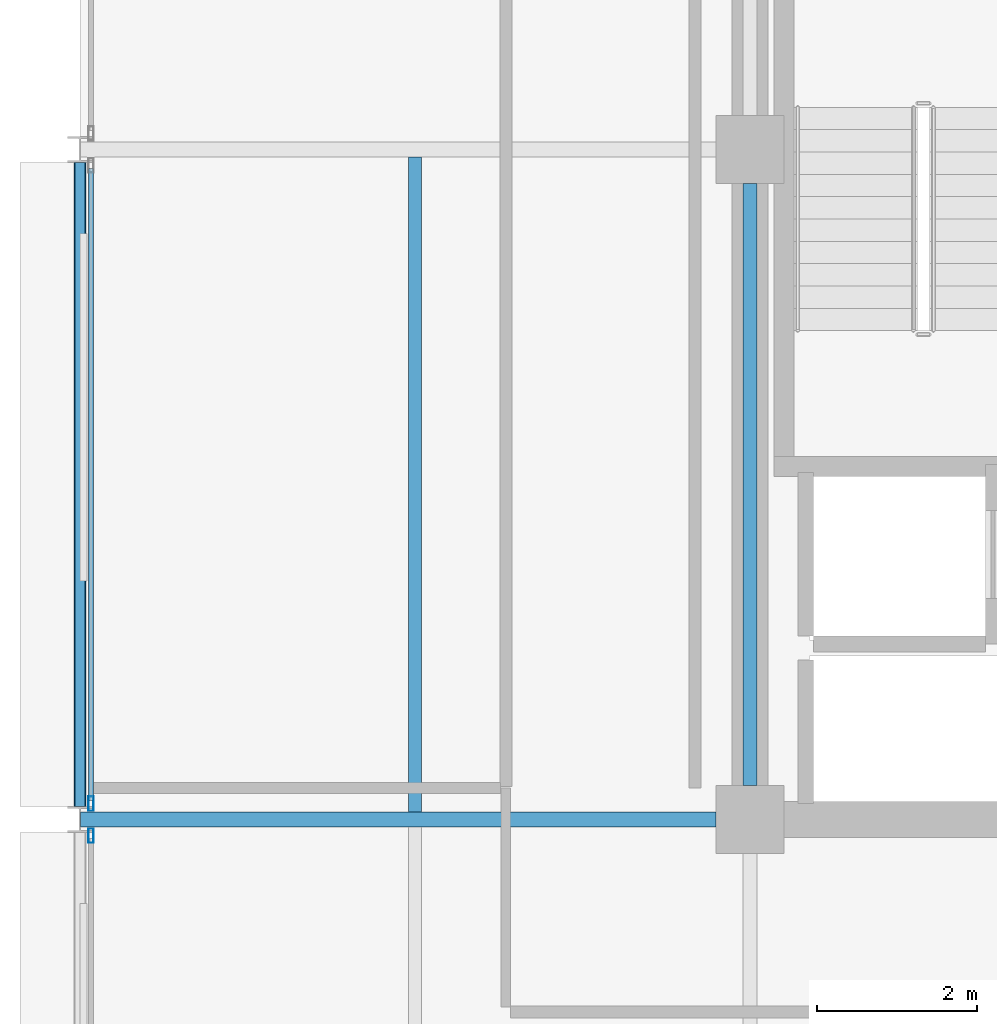
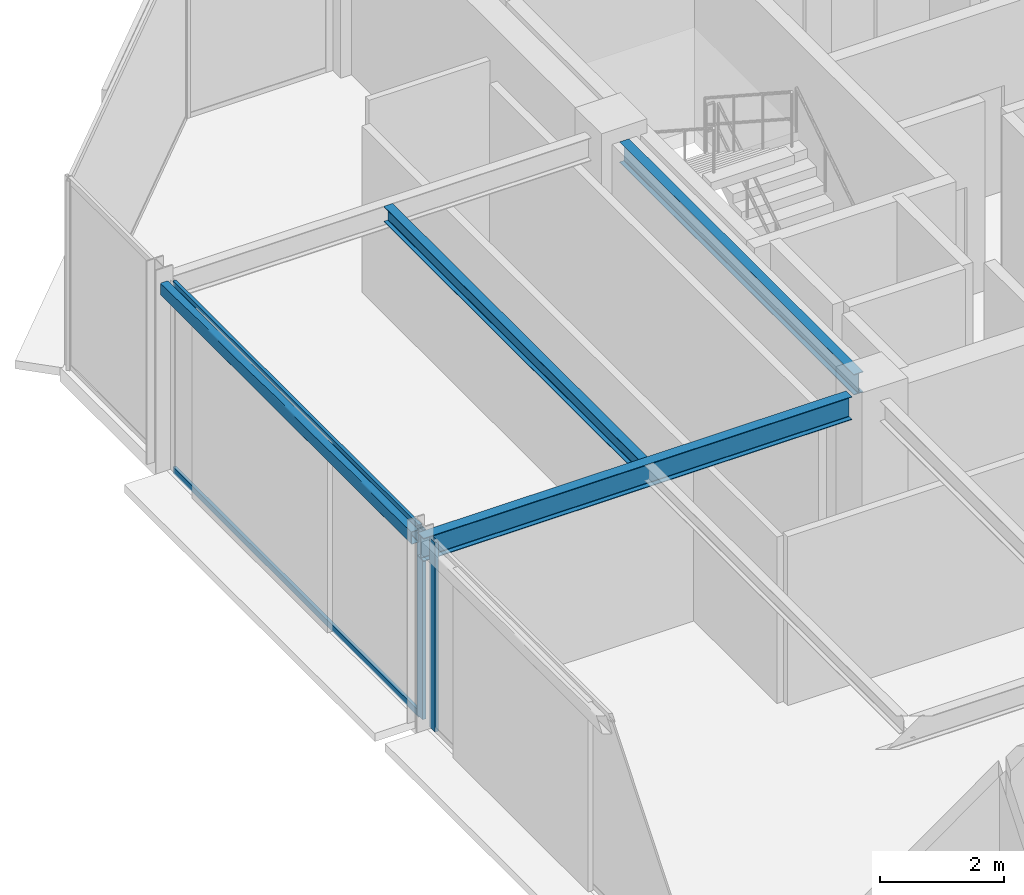
# One storey, part 11 of 27: 4 beams, 4 members, 2 elements without a shape of their own.
"""IFC4 building model written with IfcOpenShell, lengths in metres."""

import ifcopenshell
import ifcopenshell.guid

model = None  # the IFC model being written
_history = None  # IfcOwnerHistory: only IFC2X3 demands one
_inside = {}  # id of a spatial element -> (the spatial element, [elements in it])
_under = {}  # id of a project, library or spatial element -> (it, [spatial elements below it])
_declared = {}  # id of a project -> (the project, [libraries it declares])
_typed = {}  # id of a type object -> (the type object, [elements of that type])
_made_of = {}  # id of a material, layer set ... -> (it, [elements and type objects made of it])


def new_model(schema):
    """Start an empty IFC model of exactly this schema.

    Asked for "IFC4X3", IfcOpenShell would pick the latest addendum, in which some entities
    have other attributes; the version numbers below select the first issue.
    IFC2X3 requires an IfcOwnerHistory on every rooted entity: one is made here for all.
    """
    global model, _history
    if schema == "IFC4X3":
        model = ifcopenshell.file(schema_version=(4, 3, 0, 0))
    else:
        model = ifcopenshell.file(schema=schema)
    _inside.clear()
    _under.clear()
    _declared.clear()
    _typed.clear()
    _made_of.clear()
    _history = None
    if model.schema == "IFC2X3":
        org = make("IfcOrganization", Name="unknown")
        user = make(
            "IfcPersonAndOrganization",
            ThePerson=make("IfcPerson", FamilyName="unknown"),
            TheOrganization=org,
        )
        app = make(
            "IfcApplication",
            ApplicationDeveloper=org,
            Version="unknown",
            ApplicationFullName="unknown",
            ApplicationIdentifier="unknown",
        )
        _history = make(
            "IfcOwnerHistory",
            OwningUser=user,
            OwningApplication=app,
            ChangeAction="ADDED",
            CreationDate=0,
        )
    return model


def make(cls, **values):
    """One entity of the class cls with the attributes given. An attribute that is None is left unset."""
    return model.create_entity(
        cls, **{name: value for name, value in values.items() if value is not None}
    )


def rooted(cls, **values):
    """An entity with a GlobalId (a new one), such as an element, a storey or a relation."""
    return make(cls, GlobalId=ifcopenshell.guid.new(), OwnerHistory=_history, **values)


def si_unit(unit_type, name, prefix=None):
    """IfcSIUnit, for example si_unit("LENGTHUNIT", "METRE", prefix="MILLI")."""
    return make("IfcSIUnit", UnitType=unit_type, Prefix=prefix, Name=name)


def assignment(units):
    """IfcUnitAssignment: the units of a project."""
    return None if units is None else make("IfcUnitAssignment", Units=units)


def point(xyz):
    """IfcCartesianPoint."""
    return None if xyz is None else make("IfcCartesianPoint", Coordinates=xyz)


def direction(xyz):
    """IfcDirection."""
    return None if xyz is None else make("IfcDirection", DirectionRatios=xyz)


def frame(location, z_axis=None, x_axis=None):
    """IfcAxis2Placement3D, a coordinate frame: its origin and axes. An axis left out is left unset."""
    return make(
        "IfcAxis2Placement3D",
        Location=point(location),
        Axis=direction(z_axis),
        RefDirection=direction(x_axis),
    )


def frame_2d(location, x_axis=None):
    """IfcAxis2Placement2D, a coordinate frame in the plane: its origin and x axis."""
    return make(
        "IfcAxis2Placement2D", Location=point(location), RefDirection=direction(x_axis)
    )


def origin():
    """The frame at (0, 0, 0) with its axes left unset."""
    return frame((0.0, 0.0, 0.0))


def origin_2d():
    """The frame at (0, 0) in the plane with its x axis left unset."""
    return frame_2d((0.0, 0.0))


def place(relative_to, where):
    """IfcLocalPlacement: puts the frame where relative to a parent placement (None: the world)."""
    return make(
        "IfcLocalPlacement", PlacementRelTo=relative_to, RelativePlacement=where
    )


def context(
    kind, dimensions, precision=None, world=None, true_north=None, identifier=None
):
    """IfcGeometricRepresentationContext, for example the 3D "Model" context."""
    return make(
        "IfcGeometricRepresentationContext",
        ContextIdentifier=identifier,
        ContextType=kind,
        CoordinateSpaceDimension=dimensions,
        Precision=precision,
        WorldCoordinateSystem=world,
        TrueNorth=true_north,
    )


def subcontext(parent, identifier, kind, view, scale=None):
    """IfcGeometricRepresentationSubContext, for example "Body" below "Model"."""
    return make(
        "IfcGeometricRepresentationSubContext",
        ContextIdentifier=identifier,
        ContextType=kind,
        ParentContext=parent,
        TargetScale=scale,
        TargetView=view,
    )


def project(units=None, contexts=None):
    """IfcProject with its units and contexts."""
    return rooted(
        "IfcProject",
        Name="project",
        RepresentationContexts=contexts,
        UnitsInContext=assignment(units),
    )


def spatial(cls, under=None, at=None, **own):
    """A site, building, storey or space (cls), placed at a placement, below another one or the project."""
    s = rooted(cls, ObjectPlacement=at, **own)
    if under is not None:
        _under.setdefault(under.id(), (under, []))[1].append(s)
    return s


def profile(cls, at=None, kind="AREA", **sizes):
    """A parametric profile (cls). Its sizes go by their IFC names, for example OverallWidth=200.0."""
    return make(cls, ProfileType=kind, Position=at, **sizes)


def hollow_rectangle(**sizes):
    """IfcRectangleHollowProfileDef."""
    return profile("IfcRectangleHollowProfileDef", **sizes)


def i_section(**sizes):
    """IfcIShapeProfileDef."""
    return profile("IfcIShapeProfileDef", **sizes)


def extrude(swept, where, along, depth):
    """IfcExtrudedAreaSolid: the profile swept, set in the frame where, extruded along a direction by depth."""
    return make(
        "IfcExtrudedAreaSolid",
        SweptArea=swept,
        Position=where,
        ExtrudedDirection=direction(along),
        Depth=depth,
    )


def shape(context_of_items, identifier, shape_type, items):
    """IfcShapeRepresentation: the items that make up one representation, for example the "Body"."""
    return make(
        "IfcShapeRepresentation",
        ContextOfItems=context_of_items,
        RepresentationIdentifier=identifier,
        RepresentationType=shape_type,
        Items=items,
    )


def material(Name=None, Category=None):
    """IfcMaterial."""
    return make("IfcMaterial", Name=Name, Category=Category)


def layer(
    of_material, thickness, ventilated=None, Name=None, Category=None, Priority=None
):
    """IfcMaterialLayer: one layer of a wall or slab, of a material (None: an air gap)."""
    return make(
        "IfcMaterialLayer",
        Material=of_material,
        LayerThickness=thickness,
        IsVentilated=ventilated,
        Name=Name,
        Category=Category,
        Priority=Priority,
    )


def layer_set(layers, Name=None):
    """IfcMaterialLayerSet."""
    return make("IfcMaterialLayerSet", MaterialLayers=layers, LayerSetName=Name)


def material_profile(
    of_material, cross_section, Name=None, Category=None, Priority=None
):
    """IfcMaterialProfile: a cross section and its material."""
    return make(
        "IfcMaterialProfile",
        Name=Name,
        Material=of_material,
        Profile=cross_section,
        Priority=Priority,
        Category=Category,
    )


def profile_set(profiles, Name=None, composite=None):
    """IfcMaterialProfileSet."""
    return make(
        "IfcMaterialProfileSet",
        Name=Name,
        MaterialProfiles=profiles,
        CompositeProfile=composite,
    )


def made_of(thing, what):
    """Note that an element or type object is made of a material, layer set ...; save() writes the relation."""
    if what is not None:
        _made_of.setdefault(what.id(), (what, []))[1].append(thing)
    return thing


def type_object(cls, material=None, **own):
    """A type object (cls), such as IfcWallType, which elements share."""
    return made_of(rooted(cls, **own), material)


def element(
    cls,
    number,
    at=None,
    inside=None,
    cuts=None,
    type_object=None,
    material=None,
    context=None,
    identifier="Body",
    shape_type=None,
    held_by="IfcProductDefinitionShape",
    body=None,
    shapes=None,
    **own,
):
    """One element of the class cls, such as IfcWall. Its Tag is "e" and its number.

    at: its placement. inside: the storey or other place that contains it. cuts: it is an
    opening in that element (IfcRelVoidsElement). A single representation is given by context,
    identifier, shape_type and body (its items); several are given by shapes. held_by: the class
    of the entity that holds the representations. save() writes the other relations.
    """
    e = rooted(cls, Tag="e%d" % number, ObjectPlacement=at, **own)
    if body is not None:
        shapes = [shape(context, identifier, shape_type, body)]
    if shapes is not None:
        e.Representation = make(held_by, Representations=shapes)
    if inside is not None:
        _inside.setdefault(inside.id(), (inside, []))[1].append(e)
    if cuts is not None:
        rooted(
            "IfcRelVoidsElement", RelatingBuildingElement=cuts, RelatedOpeningElement=e
        )
    if type_object is not None:
        _typed.setdefault(type_object.id(), (type_object, []))[1].append(e)
    return made_of(e, material)


def aggregate(whole, parts):
    """IfcRelAggregates: a whole, such as a stair, and the parts it consists of."""
    return rooted("IfcRelAggregates", RelatingObject=whole, RelatedObjects=parts)


def save(model, path):
    """Write the relations noted so far, then the file.

    IfcRelAggregates (storeys below a building ...), IfcRelContainedInSpatialStructure (elements
    in a storey), IfcRelDefinesByType, IfcRelAssociatesMaterial and IfcRelDeclares: one each for
    every whole, place, type object, material and project.
    """
    for whole, parts in _under.values():
        aggregate(whole, parts)
    for where, things in _inside.values():
        rooted(
            "IfcRelContainedInSpatialStructure",
            RelatedElements=things,
            RelatingStructure=where,
        )
    for kind, things in _typed.values():
        rooted("IfcRelDefinesByType", RelatedObjects=things, RelatingType=kind)
    for what, things in _made_of.values():
        rooted("IfcRelAssociatesMaterial", RelatedObjects=things, RelatingMaterial=what)
    for by, libraries in _declared.values():
        rooted("IfcRelDeclares", RelatingContext=by, RelatedDefinitions=libraries)
    model.write(path)


model = new_model("IFC4")

# Units and contexts
model_context = context("Model", 3, precision=1e-05, world=origin(), true_north=direction((0.0, 1.0)))
body_context = subcontext(model_context, "Body", "Model", "MODEL_VIEW")
ifc_project = project(units=[si_unit("LENGTHUNIT", "METRE"), si_unit("AREAUNIT", "SQUARE_METRE"), si_unit("VOLUMEUNIT", "CUBIC_METRE"), si_unit("PLANEANGLEUNIT", "RADIAN"), si_unit("MASSUNIT", "GRAM", prefix="KILO")], contexts=[model_context])

# Site, building, storey
site_placement = place(None, origin())
site = spatial("IfcSite", under=ifc_project, at=site_placement, CompositionType="ELEMENT")
building_placement = place(site_placement, origin())
building = spatial("IfcBuilding", under=site, at=building_placement, Name="Nerrivon Quay Data Exchange", CompositionType="ELEMENT")
storey_placement = place(building_placement, frame((0.0, 0.0, 266.199951171875)))
storey = spatial("IfcBuildingStorey", under=building, at=storey_placement, Name="L63", CompositionType="ELEMENT", Elevation=266.199951171875)

# Beams
ifc_material_1 = material(Name="Steel Grade 350", Category="steel")
ifc_material_profile_1 = material_profile(ifc_material_1, i_section(OverallWidth=0.18994140625, OverallDepth=0.4541015625, WebThickness=0.008544921875, FlangeThickness=0.0126953125, FilletRadius=0.011474609375, at=origin_2d()), Name="460UB67.1")
ifc_profile_set_1 = profile_set([ifc_material_profile_1], Name="Steel Grade 350")
beam_type_1 = type_object("IfcBeamType", Name="BM-G6-460UB67", PredefinedType="BEAM", material=ifc_profile_set_1)
beam_1_placement = place(storey_placement, frame((0.0078125, 25.199951171875, 3.498046875), z_axis=(1.0, 0.0, 0.0), x_axis=(0.0, 1.0, 0.0)))
element("IfcBeam", 1, at=beam_1_placement, inside=storey, type_object=beam_type_1, Name="L63 EW Girder Y=25.2 (0.0..8.4)", PredefinedType="BEAM", context=body_context, shape_type="SweptSolid", body=[
    extrude(i_section(OverallWidth=0.18994140625, OverallDepth=0.4541015625, WebThickness=0.008544921875, FlangeThickness=0.0126953125, FilletRadius=0.011474609375, at=origin_2d()), origin(), (0.0, 0.0, 1.0), 7.96728515625),
])
ifc_material_profile_2 = material_profile(ifc_material_1, i_section(OverallWidth=0.177978515625, OverallDepth=0.406005859375, WebThickness=0.0078125, FlangeThickness=0.0126953125, FilletRadius=0.011474609375, at=origin_2d()), Name="410UB59.7")
ifc_profile_set_2 = profile_set([ifc_material_profile_2], Name="Steel Grade 350")
beam_type_2 = type_object("IfcBeamType", Name="BM-J1-410UB60", PredefinedType="JOIST", material=ifc_profile_set_2)
beam_2_placement = place(storey_placement, frame((8.39990234375, 25.625, 3.52197265625), z_axis=(0.0, 1.0, 0.0), x_axis=(-1.0, 0.0, 0.0)))
element("IfcBeam", 2, at=beam_2_placement, inside=storey, type_object=beam_type_2, Name="L63 NS Girder X=8.4 (25.2..33.6)", PredefinedType="JOIST", context=body_context, shape_type="SweptSolid", body=[
    extrude(i_section(OverallWidth=0.177978515625, OverallDepth=0.406005859375, WebThickness=0.0078125, FlangeThickness=0.0126953125, FilletRadius=0.011474609375, at=origin_2d()), origin(), (0.0, 0.0, 1.0), 7.550048828125),
])
ifc_material_profile_3 = material_profile(ifc_material_1, i_section(OverallWidth=0.1650390625, OverallDepth=0.303955078125, WebThickness=0.006103515625, FlangeThickness=0.01025390625, FilletRadius=0.011474609375, at=origin_2d()), Name="310UB40.4")
ifc_profile_set_3 = profile_set([ifc_material_profile_3], Name="Steel Grade 350")
beam_type_3 = type_object("IfcBeamType", Name="BM-J6-310UB40", PredefinedType="JOIST", material=ifc_profile_set_3)
beam_3_placement = place(storey_placement, frame((4.199951171875, 25.294921875, 3.572998046875), z_axis=(0.0, 1.0, 0.0), x_axis=(-1.0, 0.0, 0.0)))
element("IfcBeam", 3, at=beam_3_placement, inside=storey, type_object=beam_type_3, Name="L63 Secondary Joist X=4.2 (25.2..33.6)", PredefinedType="JOIST", context=body_context, shape_type="SweptSolid", body=[
    extrude(i_section(OverallWidth=0.1650390625, OverallDepth=0.303955078125, WebThickness=0.006103515625, FlangeThickness=0.01025390625, FilletRadius=0.011474609375, at=origin_2d()), origin(), (0.0, 0.0, 1.0), 8.2099609375),
])
ifc_material_2 = material(Name="Steel Grade C350L0 (350 MPa)", Category="steel")
ifc_material_profile_4 = material_profile(ifc_material_2, hollow_rectangle(XDim=0.14990234375, YDim=0.25, WallThickness=0.009033203125, InnerFilletRadius=0.013427734375, OuterFilletRadius=0.0224609375, at=origin_2d()), Name="250x150x9.0RHS")
ifc_profile_set_4 = profile_set([ifc_material_profile_4], Name="Steel Grade C350L0 (350 MPa)")
beam_type_4 = type_object("IfcBeamType", Name="BM-SP4-250x150RHS", PredefinedType="SPANDREL", material=ifc_profile_set_4)
beam_4_placement = place(storey_placement, frame((0.0, 25.363525390625, 3.60009765625), z_axis=(0.0, 1.0, 0.0), x_axis=(-1.0, 0.0, 0.0)))
element("IfcBeam", 4, at=beam_4_placement, inside=storey, type_object=beam_type_4, Name="L63 NS Girder X=0.0 (25.2..33.6)", PredefinedType="SPANDREL", context=body_context, shape_type="SweptSolid", body=[
    extrude(hollow_rectangle(XDim=0.14990234375, YDim=0.25, WallThickness=0.009033203125, InnerFilletRadius=0.013427734375, OuterFilletRadius=0.0224609375, at=origin_2d()), origin(), (0.0, 0.0, 1.0), 8.072998046875),
])

# Curtain wall, member
ifc_material_3 = material(Name="Anodised aluminium 6063-T6", Category="aluminium")
ifc_layer = layer(ifc_material_3, 0.195068359375)
ifc_layer_set = layer_set([ifc_layer], Name="Anodised aluminium 6063-T6")
curtain_wall_type = type_object("IfcCurtainWallType", Name="CW-SYS-06", PredefinedType="NOTDEFINED", material=ifc_layer_set)
curtain_wall_1_placement = place(storey_placement, origin())
curtain_wall_1 = element("IfcCurtainWall", 5, at=curtain_wall_1_placement, inside=storey, type_object=curtain_wall_type, Name="L63 Unitised Curtain Wall 13", PredefinedType="NOTDEFINED")
ifc_material_profile_5 = material_profile(ifc_material_3, hollow_rectangle(XDim=0.06494140625, YDim=0.179931640625, WallThickness=0.00341796875, at=origin_2d()), Name="ALU-MULL-180x65")
ifc_profile_set_5 = profile_set([ifc_material_profile_5], Name="Anodised aluminium 6063-T6")
member_type_1 = type_object("IfcMemberType", Name="CWM-180x65", PredefinedType="MULLION", material=ifc_profile_set_5)
member_1_placement = place(storey_placement, frame((0.139892578125, 24.9990234375, 0.0), z_axis=(0.0, 0.0, 1.0), x_axis=(-1.0, 0.0, 0.0)))
member_1 = element("IfcMember", 6, at=member_1_placement, type_object=member_type_1, Name="CW06 mullion 2", PredefinedType="MULLION", context=body_context, shape_type="SweptSolid", body=[
    extrude(hollow_rectangle(XDim=0.06494140625, YDim=0.179931640625, WallThickness=0.00341796875, at=origin_2d()), origin(), (0.0, 0.0, 1.0), 3.72509765625),
])
aggregate(curtain_wall_1, [member_1])

# Curtain wall, members
curtain_wall_2_placement = place(storey_placement, origin())
curtain_wall_2 = element("IfcCurtainWall", 7, at=curtain_wall_2_placement, inside=storey, type_object=curtain_wall_type, Name="L63 Unitised Curtain Wall 14", PredefinedType="NOTDEFINED")
member_2_placement = place(storey_placement, frame((0.139892578125, 25.40087890625, 0.0), z_axis=(0.0, 0.0, 1.0), x_axis=(-1.0, 0.0, 0.0)))
member_2 = element("IfcMember", 8, at=member_2_placement, type_object=member_type_1, Name="CW06 mullion 1", PredefinedType="MULLION", context=body_context, shape_type="SweptSolid", body=[
    extrude(hollow_rectangle(XDim=0.06494140625, YDim=0.179931640625, WallThickness=0.00341796875, at=origin_2d()), origin(), (0.0, 0.0, 1.0), 3.72509765625),
])
ifc_material_profile_6 = material_profile(ifc_material_3, hollow_rectangle(XDim=0.06005859375, YDim=0.1201171875, WallThickness=0.003173828125, at=origin_2d()), Name="ALU-TRAN-120x60")
ifc_profile_set_6 = profile_set([ifc_material_profile_6], Name="Anodised aluminium 6063-T6")
member_type_2 = type_object("IfcMemberType", Name="CWT-120x60", PredefinedType="USERDEFINED", material=ifc_profile_set_6)
member_3_placement = place(storey_placement, frame((0.139892578125, 25.4384765625, 0.032470703125), z_axis=(0.0, 1.0, 0.0), x_axis=(-1.0, 0.0, 0.0)))
member_3 = element("IfcMember", 9, at=member_3_placement, type_object=member_type_2, Name="CW06 transom 1.1", ObjectType="TRANSOM", PredefinedType="USERDEFINED", context=body_context, shape_type="SweptSolid", body=[
    extrude(hollow_rectangle(XDim=0.06005859375, YDim=0.1201171875, WallThickness=0.003173828125, at=origin_2d()), origin(), (0.0, 0.0, 1.0), 7.923095703125),
])
member_4_placement = place(storey_placement, frame((0.139892578125, 25.4384765625, 3.692626953125), z_axis=(0.0, 1.0, 0.0), x_axis=(-1.0, 0.0, 0.0)))
member_4 = element("IfcMember", 10, at=member_4_placement, type_object=member_type_2, Name="CW06 transom 1.2", ObjectType="TRANSOM", PredefinedType="USERDEFINED", context=body_context, shape_type="SweptSolid", body=[
    extrude(hollow_rectangle(XDim=0.06005859375, YDim=0.1201171875, WallThickness=0.003173828125, at=origin_2d()), origin(), (0.0, 0.0, 1.0), 7.923095703125),
])
aggregate(curtain_wall_2, [member_2, member_3, member_4])

save(model, "model.ifc")
